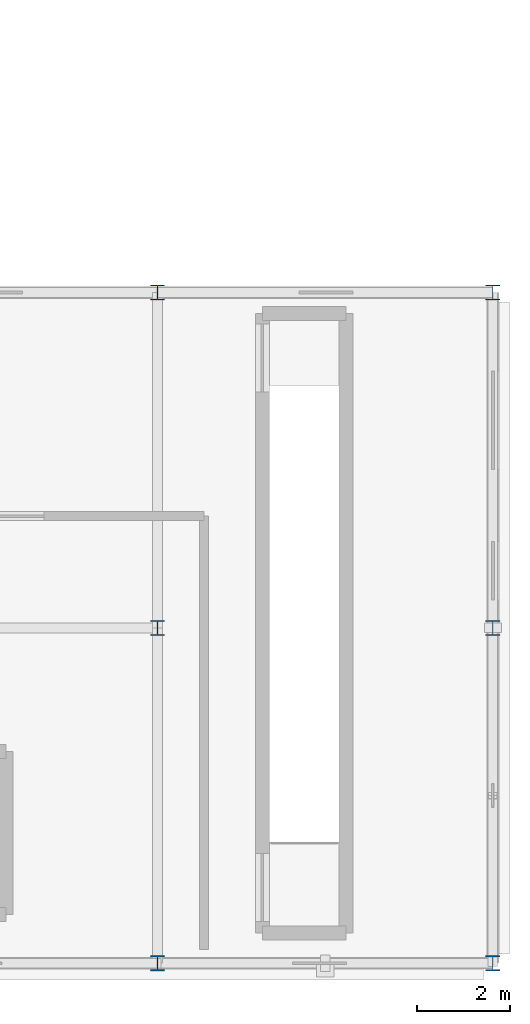
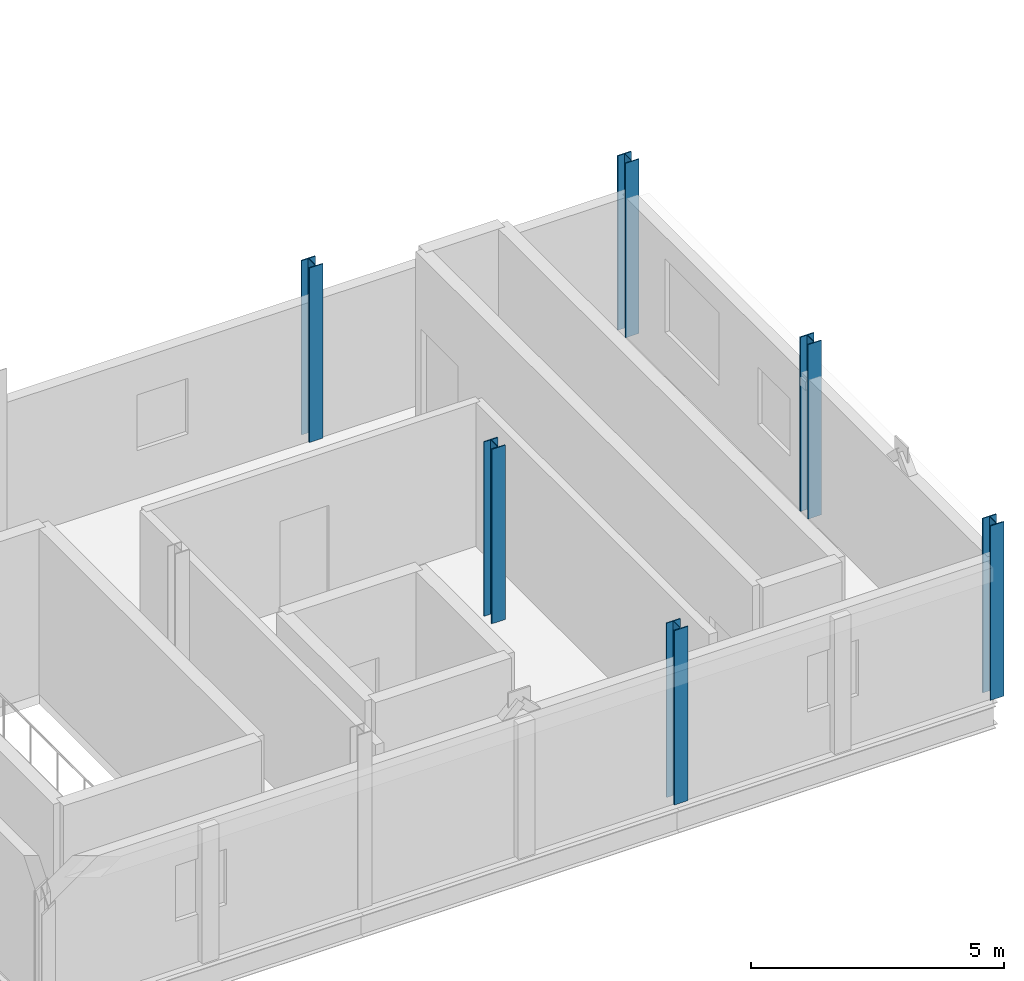
# One storey, part 3 of 28: 6 columns.
"""IFC4 building model written with IfcOpenShell, lengths in metres."""

from ifc_helpers import new_model, si_unit, direction, frame, origin, origin_2d, place, context, subcontext, project, spatial, i_section, extrude, material, material_profile, profile_set, type_object, element, save


model = new_model("IFC4")

# Units and contexts
model_context = context("Model", 3, precision=1e-05, world=origin(), true_north=direction((0.0, 1.0)))
body_context = subcontext(model_context, "Body", "Model", "MODEL_VIEW")
ifc_project = project(units=[si_unit("LENGTHUNIT", "METRE"), si_unit("AREAUNIT", "SQUARE_METRE"), si_unit("VOLUMEUNIT", "CUBIC_METRE"), si_unit("PLANEANGLEUNIT", "RADIAN"), si_unit("MASSUNIT", "GRAM", prefix="KILO")], contexts=[model_context])

# Site, building, storey
site_placement = place(None, origin())
site = spatial("IfcSite", under=ifc_project, at=site_placement, CompositionType="ELEMENT")
building_placement = place(site_placement, origin())
building = spatial("IfcBuilding", under=site, at=building_placement, Name="Yarey Park Central Fire Station", CompositionType="ELEMENT")
storey_placement = place(building_placement, frame((0.0, 0.0, 22.199951171875)))
storey = spatial("IfcBuildingStorey", under=building, at=storey_placement, Name="L06", CompositionType="ELEMENT", Elevation=22.199951171875)

# Columns
ifc_material = material(Name="Steel ASTM A992 Gr. 50", Category="steel")
ifc_material_profile_1 = material_profile(ifc_material, i_section(OverallWidth=0.30908203125, OverallDepth=0.322998046875, WebThickness=0.013916015625, FlangeThickness=0.02294921875, at=origin_2d()), Name="W310x143")
ifc_profile_set_1 = profile_set([ifc_material_profile_1], Name="Steel ASTM A992 Gr. 50")
column_type_1 = type_object("IfcColumnType", Name="STR_COL_W310_EXT", PredefinedType="COLUMN", material=ifc_profile_set_1)
for number, where, z_axis, x_axis, name in (
    (1, (158.39990234375, 0.0, 0.0), (0.0, 0.0, 1.0), (1.0, 0.0, 0.0), "COL_L06_X1584_Y0"),
    (2, (158.39990234375, 14.39990234375, 0.0), (0.0, 0.0, 1.0), (1.0, 0.0, 0.0), "COL_L06_X1584_Y144"),
    (3, (165.60009765625, 0.0, 0.0), (0.0, 0.0, 1.0), (1.0, 0.0, 0.0), "COL_L06_X1656_Y0"),
    (4, (165.60009765625, 7.199951171875, 0.0), (0.0, 0.0, 1.0), (1.0, 0.0, 0.0), "COL_L06_X1656_Y72"),
    (5, (165.60009765625, 14.39990234375, 0.0), (0.0, 0.0, 1.0), (1.0, 0.0, 0.0), "COL_L06_X1656_Y144"),
):
    element("IfcColumn", number, at=place(storey_placement, frame(where, z_axis=z_axis, x_axis=x_axis)), inside=storey, type_object=column_type_1, Name=name, PredefinedType="COLUMN", context=body_context, shape_type="SweptSolid", body=[
        extrude(i_section(OverallWidth=0.30908203125, OverallDepth=0.322998046875, WebThickness=0.013916015625, FlangeThickness=0.02294921875, at=origin_2d()), origin(), (0.0, 0.0, 1.0), 4.199951171875),
    ])
ifc_material_profile_2 = material_profile(ifc_material, i_section(OverallWidth=0.30908203125, OverallDepth=0.322998046875, WebThickness=0.013916015625, FlangeThickness=0.02294921875, at=origin_2d()), Name="W310x143")
ifc_profile_set_2 = profile_set([ifc_material_profile_2], Name="Steel ASTM A992 Gr. 50")
column_type_2 = type_object("IfcColumnType", Name="STR_COL_W310_INT", PredefinedType="COLUMN", material=ifc_profile_set_2)
column_placement = place(storey_placement, frame((158.39990234375, 7.199951171875, 0.0), z_axis=(0.0, 0.0, 1.0), x_axis=(1.0, 0.0, 0.0)))
element("IfcColumn", 6, at=column_placement, inside=storey, type_object=column_type_2, Name="COL_L06_X1584_Y72", PredefinedType="COLUMN", context=body_context, shape_type="SweptSolid", body=[
    extrude(i_section(OverallWidth=0.30908203125, OverallDepth=0.322998046875, WebThickness=0.013916015625, FlangeThickness=0.02294921875, at=origin_2d()), origin(), (0.0, 0.0, 1.0), 4.199951171875),
])

save(model, "model.ifc")
